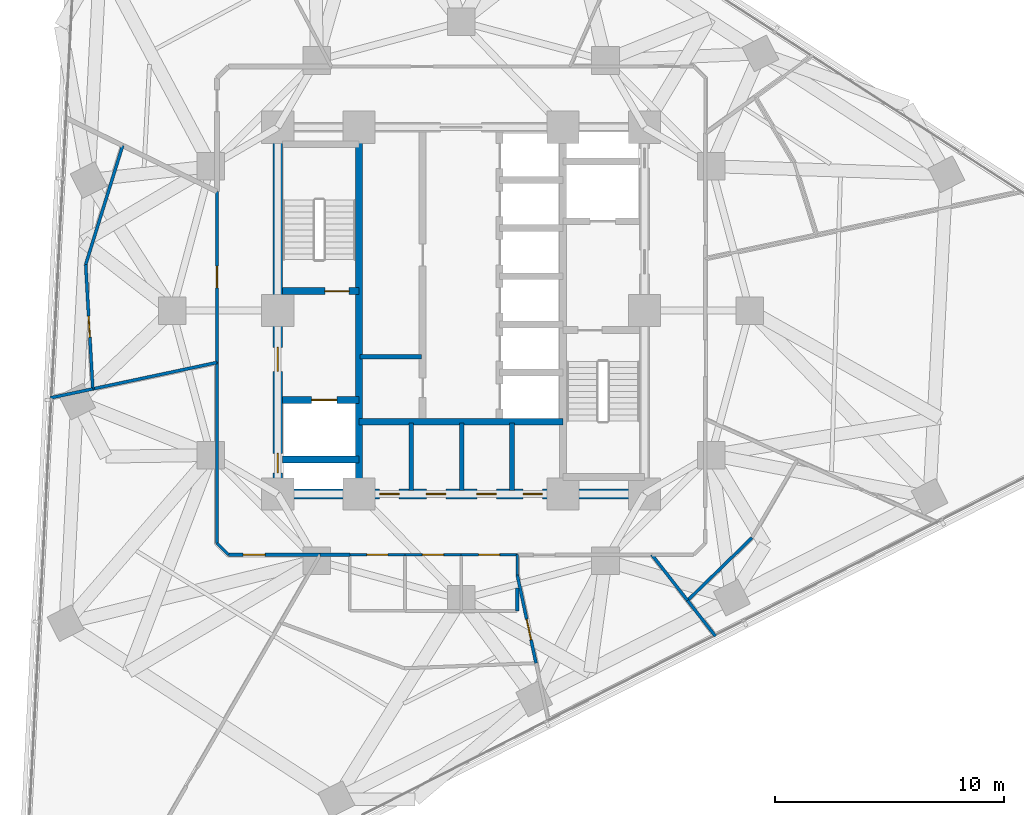
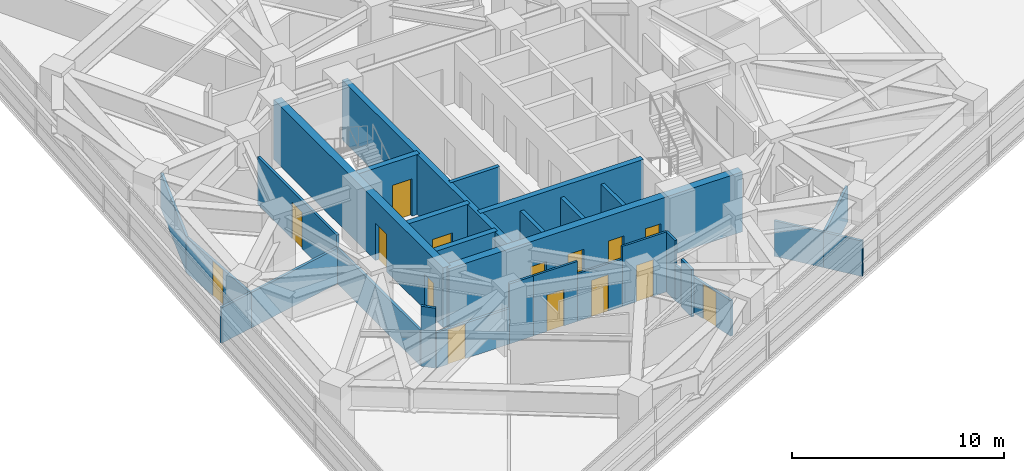
# One storey, part 9 of 15: 29 walls, 15 doors, 15 openings.
"""IFC4 building model written with IfcOpenShell, lengths in metres."""

from ifc_helpers import new_model, si_unit, direction, frame, frame_2d, origin, place, context, subcontext, project, spatial, rectangle, extrude, material, layer, layer_set, type_object, element, fill, save


model = new_model("IFC4")

# Units and contexts
model_context = context("Model", 3, precision=1e-05, world=origin(), true_north=direction((0.0, 1.0)))
body_context = subcontext(model_context, "Body", "Model", "MODEL_VIEW")
ifc_project = project(units=[si_unit("LENGTHUNIT", "METRE"), si_unit("AREAUNIT", "SQUARE_METRE"), si_unit("VOLUMEUNIT", "CUBIC_METRE"), si_unit("PLANEANGLEUNIT", "RADIAN"), si_unit("MASSUNIT", "GRAM", prefix="KILO")], contexts=[model_context])

# Site, building, storey
site_placement = place(None, origin())
site = spatial("IfcSite", under=ifc_project, at=site_placement, CompositionType="ELEMENT")
building_placement = place(site_placement, origin())
building = spatial("IfcBuilding", under=site, at=building_placement, Name="Terralouvre Media Tower", CompositionType="ELEMENT")
storey_placement = place(building_placement, frame((0.0, 0.0, 145.800048828125)))
storey = spatial("IfcBuildingStorey", under=building, at=storey_placement, Name="L37", CompositionType="ELEMENT", Elevation=145.800048828125)

# Wall
ifc_material_1 = material(Name="Concrete C50/60", Category="concrete")
ifc_layer_1 = layer(ifc_material_1, 0.300048828125, Name="Core Internal Shaft Wall CW-300")
ifc_layer_set_1 = layer_set([ifc_layer_1], Name="Concrete C50/60")
wall_type_1 = type_object("IfcWallType", Name="Core Internal Shaft Wall CW-300", PredefinedType="SHEAR", material=ifc_layer_set_1)
wall_1_placement = place(storey_placement, frame((-4.449951171875, -7.7900390625, 0.0), z_axis=(0.0, 0.0, 1.0), x_axis=(0.0, 1.0, 0.0)))
element("IfcWall", 1, at=wall_1_placement, inside=storey, type_object=wall_type_1, Name="L37 Core Shaft Wall SPW", PredefinedType="SHEAR", context=body_context, shape_type="SweptSolid", body=[
    extrude(rectangle(XDim=15.580078125, YDim=0.300048828125, at=frame_2d((7.7900390625, 0.0))), origin(), (0.0, 0.0, 1.0), 3.4599609375),
])

# Wall, opening, door
wall_2_placement = place(storey_placement, frame((-7.7900390625, 0.85009765625, 0.0), z_axis=(0.0, 0.0, 1.0), x_axis=(1.0, 0.0, 0.0)))
wall_2 = element("IfcWall", 2, at=wall_2_placement, inside=storey, type_object=wall_type_1, Name="L37 Core Shaft Wall ST1D", PredefinedType="SHEAR", context=body_context, shape_type="SweptSolid", body=[
    extrude(rectangle(XDim=3.340087890625, YDim=0.300048828125, at=frame_2d((1.669921875, 0.0))), origin(), (0.0, 0.0, 1.0), 3.4599609375),
])
opening_1_placement = place(wall_2_placement, frame((1.85009765625, 0.0, 0.0)))
opening_1 = element("IfcOpeningElement", 3, at=opening_1_placement, cuts=wall_2, Name="Opening FD-01-105X215", PredefinedType="OPENING", context=body_context, shape_type="SweptSolid", body=[
    extrude(rectangle(XDim=1.050048828125, YDim=2.14990234375, at=frame_2d((0.52490234375, 1.074951171875))), frame((0.0, 0.159912109375, 0.0), z_axis=(0.0, -1.0, 0.0), x_axis=(1.0, 0.0, 0.0)), (0.0, 0.0, 1.0), 0.320068359375),
])
ifc_material_2 = material(Name="Galvanised steel fire-resisting leaf", Category="steel")
door_type_1 = type_object("IfcDoorType", Name="Stair and Firefighting Lobby Fire Door FD-01 (1050x2150)", OperationType="NOTDEFINED", PredefinedType="DOOR", material=ifc_material_2)
door_1_placement = place(opening_1_placement, origin())
door_1 = element("IfcDoor", 4, at=door_1_placement, inside=storey, type_object=door_type_1, Name="L37 ST-01 Exit Stair Door", OperationType="SINGLE_SWING_LEFT", OverallHeight=2.14990234375, OverallWidth=1.050048828125, PredefinedType="DOOR", context=body_context, shape_type="SweptSolid", body=[
    extrude(rectangle(XDim=1.050048828125, YDim=2.14990234375, at=frame_2d((0.52490234375, 1.074951171875))), frame((0.0, 0.02490234375, 0.0), z_axis=(0.0, -1.0, 0.0), x_axis=(1.0, 0.0, 0.0)), (0.0, 0.0, 1.0), 0.050048828125),
])
fill(opening_1, door_1)

wall_3_placement = place(storey_placement, frame((-7.7900390625, -3.89990234375, 0.0), z_axis=(0.0, 0.0, 1.0), x_axis=(1.0, 0.0, 0.0)))
wall_3 = element("IfcWall", 5, at=wall_3_placement, inside=storey, type_object=wall_type_1, Name="L37 Core Shaft Wall FF1N", PredefinedType="SHEAR", context=body_context, shape_type="SweptSolid", body=[
    extrude(rectangle(XDim=3.340087890625, YDim=0.300048828125, at=frame_2d((1.669921875, 0.0))), origin(), (0.0, 0.0, 1.0), 3.4599609375),
])
opening_2_placement = place(wall_3_placement, frame((1.27001953125, 0.0, 0.0)))
opening_2 = element("IfcOpeningElement", 6, at=opening_2_placement, cuts=wall_3, Name="Opening LD-FF", PredefinedType="OPENING", context=body_context, shape_type="SweptSolid", body=[
    extrude(rectangle(XDim=1.10009765625, YDim=2.10009765625, at=frame_2d((0.550048828125, 1.050048828125))), frame((0.0, 0.159912109375, 0.0), z_axis=(0.0, -1.0, 0.0), x_axis=(1.0, 0.0, 0.0)), (0.0, 0.0, 1.0), 0.320068359375),
])
ifc_material_3 = material(Name="Stainless steel 316 handrail and balustrade", Category="steel")
door_type_2 = type_object("IfcDoorType", Name="Firefighting Lift Sliding Landing Door LD-FF", OperationType="SLIDING_TO_LEFT", PredefinedType="DOOR", material=ifc_material_3)
door_2_placement = place(opening_2_placement, origin())
door_2 = element("IfcDoor", 7, at=door_2_placement, inside=storey, type_object=door_type_2, Name="L37 Firefighting Lift FFL-01 Landing Door", OperationType="SLIDING_TO_LEFT", OverallHeight=2.10009765625, OverallWidth=1.10009765625, PredefinedType="DOOR", context=body_context, shape_type="SweptSolid", body=[
    extrude(rectangle(XDim=1.10009765625, YDim=2.10009765625, at=frame_2d((0.550048828125, 1.050048828125))), frame((0.0, 0.02490234375, 0.0), z_axis=(0.0, -1.0, 0.0), x_axis=(1.0, 0.0, 0.0)), (0.0, 0.0, 1.0), 0.050048828125),
])
fill(opening_2, door_2)

# Walls
wall_4_placement = place(storey_placement, frame((-7.7900390625, -6.5, 0.0), z_axis=(0.0, 0.0, 1.0), x_axis=(1.0, 0.0, 0.0)))
element("IfcWall", 8, at=wall_4_placement, inside=storey, type_object=wall_type_1, Name="L37 Core Shaft Wall FF1S", PredefinedType="SHEAR", context=body_context, shape_type="SweptSolid", body=[
    extrude(rectangle(XDim=3.340087890625, YDim=0.300048828125, at=frame_2d((1.669921875, 0.0))), origin(), (0.0, 0.0, 1.0), 3.4599609375),
])
wall_5_placement = place(storey_placement, frame((-4.449951171875, -4.85009765625, 0.0), z_axis=(0.0, 0.0, 1.0), x_axis=(1.0, 0.0, 0.0)))
element("IfcWall", 9, at=wall_5_placement, inside=storey, type_object=wall_type_1, Name="L37 Core Shaft Wall CSBN", PredefinedType="SHEAR", context=body_context, shape_type="SweptSolid", body=[
    extrude(rectangle(XDim=8.89990234375, YDim=0.300048828125, at=frame_2d((4.449951171875, 0.0))), origin(), (0.0, 0.0, 1.0), 3.4599609375),
])

# Wall, openings, doors
ifc_material_4 = material(Name="Concrete C60/75", Category="concrete")
ifc_layer_2 = layer(ifc_material_4, 0.419921875, Name="Core Reinforced Concrete Shear Wall CW-420")
ifc_layer_set_2 = layer_set([ifc_layer_2], Name="Concrete C60/75")
wall_type_2 = type_object("IfcWallType", Name="Core Reinforced Concrete Shear Wall CW-420", PredefinedType="SHEAR", material=ifc_layer_set_2)
wall_6_placement = place(storey_placement, frame((-8.0, -8.0, 0.0), z_axis=(0.0, 0.0, 1.0), x_axis=(0.0, 1.0, 0.0)))
wall_6 = element("IfcWall", 10, at=wall_6_placement, inside=storey, type_object=wall_type_2, Name="L37 W Core Shear Wall", PredefinedType="SHEAR", context=body_context, shape_type="SweptSolid", body=[
    extrude(rectangle(XDim=16.0, YDim=0.419921875, at=frame_2d((8.0, 0.0))), origin(), (0.0, 0.0, 1.0), 3.4599609375),
])
opening_3_placement = place(wall_6_placement, frame((0.921630859375, 0.0, 0.0)))
opening_3 = element("IfcOpeningElement", 11, at=opening_3_placement, cuts=wall_6, Name="Opening TD-R1", PredefinedType="OPENING", context=body_context, shape_type="SweptSolid", body=[
    extrude(rectangle(XDim=0.85009765625, YDim=2.02001953125, at=frame_2d((0.425048828125, 1.010009765625))), frame((0.0, 0.219970703125, 0.0), z_axis=(0.0, -1.0, 0.0), x_axis=(1.0, 0.0, 0.0)), (0.0, 0.0, 1.0), 0.43994140625),
])
opening_4_placement = place(wall_6_placement, frame((5.35009765625, 0.0, 0.0)))
opening_4 = element("IfcOpeningElement", 12, at=opening_4_placement, cuts=wall_6, Name="Opening FD-01-105X215", PredefinedType="OPENING", context=body_context, shape_type="SweptSolid", body=[
    extrude(rectangle(XDim=1.050048828125, YDim=2.14990234375, at=frame_2d((0.52490234375, 1.074951171875))), frame((0.0, 0.219970703125, 0.0), z_axis=(0.0, -1.0, 0.0), x_axis=(1.0, 0.0, 0.0)), (0.0, 0.0, 1.0), 0.43994140625),
])
ifc_material_5 = material(Name="Galvanised steel fire-resisting leaf", Category="steel")
door_type_3 = type_object("IfcDoorType", Name="Riser Inspection Access Trapdoor TD-R1", OperationType="NOTDEFINED", PredefinedType="TRAPDOOR", material=ifc_material_5)
door_3_placement = place(opening_3_placement, origin())
door_3 = element("IfcDoor", 13, at=door_3_placement, inside=storey, type_object=door_type_3, Name="L37 Wet Riser Access Trapdoor", OperationType="SINGLE_SWING_LEFT", OverallHeight=2.02001953125, OverallWidth=0.85009765625, PredefinedType="TRAPDOOR", context=body_context, shape_type="SweptSolid", body=[
    extrude(rectangle(XDim=0.85009765625, YDim=2.02001953125, at=frame_2d((0.425048828125, 1.010009765625))), frame((0.0, 0.02490234375, 0.0), z_axis=(0.0, -1.0, 0.0), x_axis=(1.0, 0.0, 0.0)), (0.0, 0.0, 1.0), 0.050048828125),
])
fill(opening_3, door_3)
door_4_placement = place(opening_4_placement, origin())
door_4 = element("IfcDoor", 14, at=door_4_placement, inside=storey, type_object=door_type_1, Name="L37 West Firefighting Lobby Entry Door", OperationType="SINGLE_SWING_RIGHT", OverallHeight=2.14990234375, OverallWidth=1.050048828125, PredefinedType="DOOR", context=body_context, shape_type="SweptSolid", body=[
    extrude(rectangle(XDim=1.050048828125, YDim=2.14990234375, at=frame_2d((0.52490234375, 1.074951171875))), frame((0.0, 0.02490234375, 0.0), z_axis=(0.0, -1.0, 0.0), x_axis=(1.0, 0.0, 0.0)), (0.0, 0.0, 1.0), 0.050048828125),
])
fill(opening_4, door_4)

wall_7_placement = place(storey_placement, frame((-8.0, -8.0, 0.0), z_axis=(0.0, 0.0, 1.0), x_axis=(1.0, 0.0, 0.0)))
wall_7 = element("IfcWall", 15, at=wall_7_placement, inside=storey, type_object=wall_type_2, Name="L37 S Core Shear Wall", PredefinedType="SHEAR", context=body_context, shape_type="SweptSolid", body=[
    extrude(rectangle(XDim=16.0, YDim=0.419921875, at=frame_2d((8.0, 0.0))), origin(), (0.0, 0.0, 1.0), 3.4599609375),
])
opening_5_placement = place(wall_7_placement, frame((4.44873046875, 0.0, 0.0)))
opening_5 = element("IfcOpeningElement", 16, at=opening_5_placement, cuts=wall_7, Name="Opening TD-R1", PredefinedType="OPENING", context=body_context, shape_type="SweptSolid", body=[
    extrude(rectangle(XDim=0.85009765625, YDim=2.02001953125, at=frame_2d((0.425048828125, 1.010009765625))), frame((0.0, 0.219970703125, 0.0), z_axis=(0.0, -1.0, 0.0), x_axis=(1.0, 0.0, 0.0)), (0.0, 0.0, 1.0), 0.43994140625),
])
opening_6_placement = place(wall_7_placement, frame((6.489990234375, 0.0, 0.0)))
opening_6 = element("IfcOpeningElement", 17, at=opening_6_placement, cuts=wall_7, Name="Opening TD-R1", PredefinedType="OPENING", context=body_context, shape_type="SweptSolid", body=[
    extrude(rectangle(XDim=0.85009765625, YDim=2.02001953125, at=frame_2d((0.425048828125, 1.010009765625))), frame((0.0, 0.219970703125, 0.0), z_axis=(0.0, -1.0, 0.0), x_axis=(1.0, 0.0, 0.0)), (0.0, 0.0, 1.0), 0.43994140625),
])
opening_7_placement = place(wall_7_placement, frame((8.68994140625, 0.0, 0.0)))
opening_7 = element("IfcOpeningElement", 18, at=opening_7_placement, cuts=wall_7, Name="Opening TD-R1", PredefinedType="OPENING", context=body_context, shape_type="SweptSolid", body=[
    extrude(rectangle(XDim=0.85009765625, YDim=2.02001953125, at=frame_2d((0.425048828125, 1.010009765625))), frame((0.0, 0.219970703125, 0.0), z_axis=(0.0, -1.0, 0.0), x_axis=(1.0, 0.0, 0.0)), (0.0, 0.0, 1.0), 0.43994140625),
])
opening_8_placement = place(wall_7_placement, frame((10.701416015625, 0.0, 0.0)))
opening_8 = element("IfcOpeningElement", 19, at=opening_8_placement, cuts=wall_7, Name="Opening TD-R1", PredefinedType="OPENING", context=body_context, shape_type="SweptSolid", body=[
    extrude(rectangle(XDim=0.85009765625, YDim=2.02001953125, at=frame_2d((0.425048828125, 1.010009765625))), frame((0.0, 0.219970703125, 0.0), z_axis=(0.0, -1.0, 0.0), x_axis=(1.0, 0.0, 0.0)), (0.0, 0.0, 1.0), 0.43994140625),
])
door_5_placement = place(opening_5_placement, origin())
door_5 = element("IfcDoor", 20, at=door_5_placement, inside=storey, type_object=door_type_3, Name="L37 Core Battery Plant Door", OperationType="SINGLE_SWING_LEFT", OverallHeight=2.02001953125, OverallWidth=0.85009765625, PredefinedType="TRAPDOOR", context=body_context, shape_type="SweptSolid", body=[
    extrude(rectangle(XDim=0.85009765625, YDim=2.02001953125, at=frame_2d((0.425048828125, 1.010009765625))), frame((0.0, 0.02490234375, 0.0), z_axis=(0.0, -1.0, 0.0), x_axis=(1.0, 0.0, 0.0)), (0.0, 0.0, 1.0), 0.050048828125),
])
fill(opening_5, door_5)
door_6_placement = place(opening_6_placement, origin())
door_6 = element("IfcDoor", 21, at=door_6_placement, inside=storey, type_object=door_type_3, Name="L37 Core IT Patch Plant Door", OperationType="SINGLE_SWING_RIGHT", OverallHeight=2.02001953125, OverallWidth=0.85009765625, PredefinedType="TRAPDOOR", context=body_context, shape_type="SweptSolid", body=[
    extrude(rectangle(XDim=0.85009765625, YDim=2.02001953125, at=frame_2d((0.425048828125, 1.010009765625))), frame((0.0, 0.02490234375, 0.0), z_axis=(0.0, -1.0, 0.0), x_axis=(1.0, 0.0, 0.0)), (0.0, 0.0, 1.0), 0.050048828125),
])
fill(opening_6, door_6)
door_7_placement = place(opening_7_placement, origin())
door_7 = element("IfcDoor", 22, at=door_7_placement, inside=storey, type_object=door_type_3, Name="L37 Core Housekeeping Store Door", OperationType="SINGLE_SWING_LEFT", OverallHeight=2.02001953125, OverallWidth=0.85009765625, PredefinedType="TRAPDOOR", context=body_context, shape_type="SweptSolid", body=[
    extrude(rectangle(XDim=0.85009765625, YDim=2.02001953125, at=frame_2d((0.425048828125, 1.010009765625))), frame((0.0, 0.02490234375, 0.0), z_axis=(0.0, -1.0, 0.0), x_axis=(1.0, 0.0, 0.0)), (0.0, 0.0, 1.0), 0.050048828125),
])
fill(opening_7, door_7)
door_8_placement = place(opening_8_placement, origin())
door_8 = element("IfcDoor", 23, at=door_8_placement, inside=storey, type_object=door_type_3, Name="L37 Core Smoke Damper Plant Door", OperationType="SINGLE_SWING_RIGHT", OverallHeight=2.02001953125, OverallWidth=0.85009765625, PredefinedType="TRAPDOOR", context=body_context, shape_type="SweptSolid", body=[
    extrude(rectangle(XDim=0.85009765625, YDim=2.02001953125, at=frame_2d((0.425048828125, 1.010009765625))), frame((0.0, 0.02490234375, 0.0), z_axis=(0.0, -1.0, 0.0), x_axis=(1.0, 0.0, 0.0)), (0.0, 0.0, 1.0), 0.050048828125),
])
fill(opening_8, door_8)

# Walls
ifc_material_6 = material(Name="Fire-rated gypsum board drywall partition")
ifc_layer_3 = layer(ifc_material_6, 0.199951171875, Name="Fire-Rated Shaft and Lobby Partition FW-200")
ifc_layer_set_3 = layer_set([ifc_layer_3], Name="Fire-rated gypsum board drywall partition")
wall_type_3 = type_object("IfcWallType", Name="Fire-Rated Shaft and Lobby Partition FW-200", PredefinedType="SOLIDWALL", material=ifc_layer_set_3)
for number, where, z_axis, x_axis, name in (
    (24, (-2.179931640625, -7.85009765625, 0.0), (0.0, 0.0, 1.0), (0.0, 1.0, 0.0), "L37 Core Service Bay Partition 1"),
    (25, (0.02001953125, -7.85009765625, 0.0), (0.0, 0.0, 1.0), (0.0, 1.0, 0.0), "L37 Core Service Bay Partition 2"),
    (26, (2.219970703125, -7.85009765625, 0.0), (0.0, 0.0, 1.0), (0.0, 1.0, 0.0), "L37 Core Service Bay Partition 3"),
):
    element("IfcWall", number, at=place(storey_placement, frame(where, z_axis=z_axis, x_axis=x_axis)), inside=storey, type_object=wall_type_3, Name=name, PredefinedType="SOLIDWALL", context=body_context, shape_type="SweptSolid", body=[
        extrude(rectangle(XDim=2.9501953125, YDim=0.199951171875, at=frame_2d((1.47509765625, 0.0))), origin(), (0.0, 0.0, 1.0), 2.844970703125),
    ])
wall_8_placement = place(storey_placement, frame((-4.39990234375, -2.010009765625, 0.0), z_axis=(0.0, 0.0, 1.0), x_axis=(1.0, 0.0, 0.0)))
element("IfcWall", 27, at=wall_8_placement, inside=storey, type_object=wall_type_3, Name="L37 Core West Sub-Partition 1", PredefinedType="SOLIDWALL", context=body_context, shape_type="SweptSolid", body=[
    extrude(rectangle(XDim=2.679931640625, YDim=0.199951171875, at=frame_2d((1.33984375, 0.0))), origin(), (0.0, 0.0, 1.0), 3.4599609375),
])
ifc_material_7 = material(Name="Fire-rated gypsum board drywall partition")
ifc_layer_4 = layer(ifc_material_7, 0.135009765625, Name="Newsroom Acoustic Partition PT-135")
ifc_layer_set_4 = layer_set([ifc_layer_4], Name="Fire-rated gypsum board drywall partition")
wall_type_4 = type_object("IfcWallType", Name="Newsroom Acoustic Partition PT-135", PredefinedType="PARTITIONING", material=ifc_layer_set_4)
wall_9_placement = place(storey_placement, frame((-10.64990234375, -2.263916015625, 0.0), z_axis=(0.0, 0.0, 1.0), x_axis=(0.0, -1.0, 0.0)))
element("IfcWall", 28, at=wall_9_placement, inside=storey, type_object=wall_type_4, Name="L37 Interior Partition 001", PredefinedType="PARTITIONING", context=body_context, shape_type="SweptSolid", body=[
    extrude(rectangle(XDim=7.885986328125, YDim=0.135009765625, at=frame_2d((3.94287109375, 0.0))), origin(), (0.0, 0.0, 1.0), 2.044921875),
])
wall_10_placement = place(storey_placement, frame((-10.64990234375, -10.14990234375, 0.0), z_axis=(0.0, 0.0, 1.0), x_axis=(0.707106781187, -0.707106781187, 0.0)))
element("IfcWall", 29, at=wall_10_placement, inside=storey, type_object=wall_type_4, Name="L37 Interior Partition 002", PredefinedType="PARTITIONING", context=body_context, shape_type="SweptSolid", body=[
    extrude(rectangle(XDim=0.70703125, YDim=0.135009765625, at=frame_2d((0.353515625, 0.0))), origin(), (0.0, 0.0, 1.0), 3.4599609375),
])

# Wall, opening, door
wall_11_placement = place(storey_placement, frame((-10.14990234375, -10.64990234375, 0.0), z_axis=(0.0, 0.0, 1.0), x_axis=(1.0, 0.0, 0.0)))
wall_11 = element("IfcWall", 30, at=wall_11_placement, inside=storey, type_object=wall_type_4, Name="L37 Interior Partition 003", PredefinedType="PARTITIONING", context=body_context, shape_type="SweptSolid", body=[
    extrude(rectangle(XDim=4.0009765625, YDim=0.135009765625, at=frame_2d((2.00048828125, 0.0))), origin(), (0.0, 0.0, 1.0), 2.044921875),
])
opening_9_placement = place(wall_11_placement, frame((0.645263671875, 0.0, 0.0)))
opening_9 = element("IfcOpeningElement", 31, at=opening_9_placement, cuts=wall_11, Name="Opening ID-02", PredefinedType="OPENING", context=body_context, shape_type="SweptSolid", body=[
    extrude(rectangle(XDim=0.949951171875, YDim=2.0, at=frame_2d((0.47509765625, 1.0))), frame((0.0, 0.077392578125, 0.0), z_axis=(0.0, -1.0, 0.0), x_axis=(1.0, 0.0, 0.0)), (0.0, 0.0, 1.0), 0.155029296875),
])
ifc_material_8 = material(Name="Engineered hardwood acoustic timber leaf", Category="wood")
door_type_4 = type_object("IfcDoorType", Name="Office and Meeting Room Door ID-02", OperationType="NOTDEFINED", PredefinedType="DOOR", material=ifc_material_8)
door_9_placement = place(opening_9_placement, origin())
door_9 = element("IfcDoor", 32, at=door_9_placement, inside=storey, type_object=door_type_4, Name="L37 Graphics Desk Office 1 Door", OperationType="SINGLE_SWING_RIGHT", OverallHeight=2.0, OverallWidth=0.949951171875, PredefinedType="DOOR", context=body_context, shape_type="SweptSolid", body=[
    extrude(rectangle(XDim=0.949951171875, YDim=2.0, at=frame_2d((0.47509765625, 1.0))), frame((0.0, 0.02490234375, 0.0), z_axis=(0.0, -1.0, 0.0), x_axis=(1.0, 0.0, 0.0)), (0.0, 0.0, 1.0), 0.050048828125),
])
fill(opening_9, door_9)

# Wall
wall_12_placement = place(storey_placement, frame((-6.14892578125, -10.64990234375, 0.0), z_axis=(0.0, 0.0, 1.0), x_axis=(1.0, 0.0, 0.0)))
element("IfcWall", 33, at=wall_12_placement, inside=storey, type_object=wall_type_4, Name="L37 Interior Partition 005", PredefinedType="PARTITIONING", context=body_context, shape_type="SweptSolid", body=[
    extrude(rectangle(XDim=1.298828125, YDim=0.135009765625, at=frame_2d((0.6494140625, 0.0))), origin(), (0.0, 0.0, 1.0), 3.4599609375),
])

# Wall, opening, door
wall_13_placement = place(storey_placement, frame((-10.64990234375, 5.194091796875, 0.0), z_axis=(0.0, 0.0, 1.0), x_axis=(0.0, -1.0, 0.0)))
wall_13 = element("IfcWall", 34, at=wall_13_placement, inside=storey, type_object=wall_type_4, Name="L37 Interior Partition 021", PredefinedType="PARTITIONING", context=body_context, shape_type="SweptSolid", body=[
    extrude(rectangle(XDim=7.4580078125, YDim=0.135009765625, at=frame_2d((3.72900390625, 0.0))), origin(), (0.0, 0.0, 1.0), 2.744873046875),
])
opening_10_placement = place(wall_13_placement, frame((3.25390625, 0.0, 0.0)))
opening_10 = element("IfcOpeningElement", 35, at=opening_10_placement, cuts=wall_13, Name="Opening ID-02-95X210", PredefinedType="OPENING", context=body_context, shape_type="SweptSolid", body=[
    extrude(rectangle(XDim=0.949951171875, YDim=2.10009765625, at=frame_2d((0.47509765625, 1.050048828125))), frame((0.0, 0.077392578125, 0.0), z_axis=(0.0, -1.0, 0.0), x_axis=(1.0, 0.0, 0.0)), (0.0, 0.0, 1.0), 0.155029296875),
])
ifc_material_9 = material(Name="Engineered hardwood acoustic timber leaf", Category="wood")
door_type_5 = type_object("IfcDoorType", Name="Office and Meeting Room Door ID-02 (950x2100)", OperationType="NOTDEFINED", PredefinedType="DOOR", material=ifc_material_9)
door_10_placement = place(opening_10_placement, origin())
door_10 = element("IfcDoor", 36, at=door_10_placement, inside=storey, type_object=door_type_5, Name="L37 Graphics Desk Office 15 Door", OperationType="SINGLE_SWING_LEFT", OverallHeight=2.10009765625, OverallWidth=0.949951171875, PredefinedType="DOOR", context=body_context, shape_type="SweptSolid", body=[
    extrude(rectangle(XDim=0.949951171875, YDim=2.10009765625, at=frame_2d((0.47509765625, 1.050048828125))), frame((0.0, 0.02490234375, 0.0), z_axis=(0.0, -1.0, 0.0), x_axis=(1.0, 0.0, 0.0)), (0.0, 0.0, 1.0), 0.050048828125),
])
fill(opening_10, door_10)

# Walls
wall_14_placement = place(storey_placement, frame((-16.069091796875, -3.416015625, 0.0), z_axis=(0.0, 0.0, 1.0), x_axis=(-0.978246851629, -0.207444202805, 0.0)))
element("IfcWall", 37, at=wall_14_placement, inside=storey, type_object=wall_type_4, Name="L37 Interior Partition 024", PredefinedType="PARTITIONING", context=body_context, shape_type="SweptSolid", body=[
    extrude(rectangle(XDim=1.8876953125, YDim=0.135009765625, at=frame_2d((0.94384765625, 0.0))), origin(), (0.0, 0.0, 1.0), 2.044921875),
])
wall_15_placement = place(storey_placement, frame((-10.64990234375, -2.263916015625, 0.0), z_axis=(0.0, 0.0, 1.0), x_axis=(-0.978139695811, -0.207948877079, 0.0)))
element("IfcWall", 38, at=wall_15_placement, inside=storey, type_object=wall_type_4, Name="L37 Interior Partition 025", PredefinedType="PARTITIONING", context=body_context, shape_type="SweptSolid", body=[
    extrude(rectangle(XDim=5.540283203125, YDim=0.135009765625, at=frame_2d((2.77001953125, 0.0))), origin(), (0.0, 0.0, 1.0), 2.044921875),
])
wall_16_placement = place(storey_placement, frame((2.449951171875, -12.103271484375, 0.0), z_axis=(0.0, 0.0, 1.0), x_axis=(0.0, -1.0, 0.0)))
element("IfcWall", 39, at=wall_16_placement, inside=storey, type_object=wall_type_4, Name="L37 Interior Partition 033", PredefinedType="PARTITIONING", context=body_context, shape_type="SweptSolid", body=[
    extrude(rectangle(XDim=0.996826171875, YDim=0.135009765625, at=frame_2d((0.49853515625, 0.0))), origin(), (0.0, 0.0, 1.0), 2.744873046875),
])

# Wall, opening, door
wall_17_placement = place(storey_placement, frame((3.26904296875, -15.3798828125, 0.0), z_axis=(0.0, 0.0, 1.0), x_axis=(-0.207886916666, 0.978152866314, 0.0)))
wall_17 = element("IfcWall", 40, at=wall_17_placement, inside=storey, type_object=wall_type_4, Name="L37 Interior Partition 035", PredefinedType="PARTITIONING", context=body_context, shape_type="SweptSolid", body=[
    extrude(rectangle(XDim=3.940185546875, YDim=0.135009765625, at=frame_2d((1.97021484375, 0.0))), origin(), (0.0, 0.0, 1.0), 2.044921875),
])
opening_11_placement = place(wall_17_placement, frame((1.037109375, 0.0, 0.0)))
opening_11 = element("IfcOpeningElement", 41, at=opening_11_placement, cuts=wall_17, Name="Opening ID-03", PredefinedType="OPENING", context=body_context, shape_type="SweptSolid", body=[
    extrude(rectangle(XDim=0.919921875, YDim=2.0, at=frame_2d((0.4599609375, 1.0))), frame((0.0, 0.077392578125, 0.0), z_axis=(0.0, -1.0, 0.0), x_axis=(1.0, 0.0, 0.0)), (0.0, 0.0, 1.0), 0.155029296875),
])
ifc_material_10 = material(Name="Engineered hardwood acoustic timber leaf", Category="wood")
door_type_6 = type_object("IfcDoorType", Name="Accessible Restroom and Suite Door ID-03", OperationType="NOTDEFINED", PredefinedType="DOOR", material=ifc_material_10)
door_11_placement = place(opening_11_placement, origin())
door_11 = element("IfcDoor", 42, at=door_11_placement, inside=storey, type_object=door_type_6, Name="L37 Live Wire Newsroom Open Office 3 Door", OperationType="SINGLE_SWING_LEFT", OverallHeight=2.0, OverallWidth=0.919921875, PredefinedType="DOOR", context=body_context, shape_type="SweptSolid", body=[
    extrude(rectangle(XDim=0.919921875, YDim=2.0, at=frame_2d((0.4599609375, 1.0))), frame((0.0, 0.02490234375, 0.0), z_axis=(0.0, -1.0, 0.0), x_axis=(1.0, 0.0, 0.0)), (0.0, 0.0, 1.0), 0.050048828125),
])
fill(opening_11, door_11)

# Walls
wall_18_placement = place(storey_placement, frame((9.8798828125, -12.64599609375, 0.0), z_axis=(0.0, 0.0, 1.0), x_axis=(-0.61549437888, 0.788141275132, 0.0)))
element("IfcWall", 43, at=wall_18_placement, inside=storey, type_object=wall_type_4, Name="L37 Interior Partition 038", PredefinedType="PARTITIONING", context=body_context, shape_type="SweptSolid", body=[
    extrude(rectangle(XDim=2.53271484375, YDim=0.135009765625, at=frame_2d((1.266357421875, 0.0))), origin(), (0.0, 0.0, 1.0), 2.044921875),
])
wall_19_placement = place(storey_placement, frame((11.09619140625, -14.202392578125, 0.0), z_axis=(0.0, 0.0, 1.0), x_axis=(-0.615761561206, 0.78793254771, 0.0)))
element("IfcWall", 44, at=wall_19_placement, inside=storey, type_object=wall_type_4, Name="L37 Interior Partition 039", PredefinedType="PARTITIONING", context=body_context, shape_type="SweptSolid", body=[
    extrude(rectangle(XDim=1.975341796875, YDim=0.135009765625, at=frame_2d((0.98779296875, 0.0))), origin(), (0.0, 0.0, 1.0), 2.044921875),
])
wall_20_placement = place(storey_placement, frame((9.8798828125, -12.64599609375, 0.0), z_axis=(0.0, 0.0, 1.0), x_axis=(0.716390870365, 0.697699162145, 0.0)))
element("IfcWall", 45, at=wall_20_placement, inside=storey, type_object=wall_type_4, Name="L37 Interior Partition 040", PredefinedType="PARTITIONING", context=body_context, shape_type="SweptSolid", body=[
    extrude(rectangle(XDim=3.91845703125, YDim=0.135009765625, at=frame_2d((1.959228515625, 0.0))), origin(), (0.0, 0.0, 1.0), 2.044921875),
])

# Wall, opening, door
wall_21_placement = place(storey_placement, frame((-16.069091796875, -3.416015625, 0.0), z_axis=(0.0, 0.0, 1.0), x_axis=(-0.056636641993, 0.99839485715, 0.0)))
wall_21 = element("IfcWall", 46, at=wall_21_placement, inside=storey, type_object=wall_type_4, Name="L37 Interior Partition 059", PredefinedType="PARTITIONING", context=body_context, shape_type="SweptSolid", body=[
    extrude(rectangle(XDim=5.435791015625, YDim=0.135009765625, at=frame_2d((2.7177734375, 0.0))), origin(), (0.0, 0.0, 1.0), 2.044921875),
])
opening_12_placement = place(wall_21_placement, frame((2.2578125, 0.0, 0.0)))
opening_12 = element("IfcOpeningElement", 47, at=opening_12_placement, cuts=wall_21, Name="Opening ID-03", PredefinedType="OPENING", context=body_context, shape_type="SweptSolid", body=[
    extrude(rectangle(XDim=0.919921875, YDim=2.0, at=frame_2d((0.4599609375, 1.0))), frame((0.0, 0.077392578125, 0.0), z_axis=(0.0, -1.0, 0.0), x_axis=(1.0, 0.0, 0.0)), (0.0, 0.0, 1.0), 0.155029296875),
])
door_12_placement = place(opening_12_placement, origin())
door_12 = element("IfcDoor", 48, at=door_12_placement, inside=storey, type_object=door_type_6, Name="L37 Wire Copy Workspace 14 Door", OperationType="SINGLE_SWING_LEFT", OverallHeight=2.0, OverallWidth=0.919921875, PredefinedType="DOOR", context=body_context, shape_type="SweptSolid", body=[
    extrude(rectangle(XDim=0.919921875, YDim=2.0, at=frame_2d((0.4599609375, 1.0))), frame((0.0, 0.02490234375, 0.0), z_axis=(0.0, -1.0, 0.0), x_axis=(1.0, 0.0, 0.0)), (0.0, 0.0, 1.0), 0.050048828125),
])
fill(opening_12, door_12)

# Wall
wall_22_placement = place(storey_placement, frame((-16.376953125, 2.010986328125, 0.0), z_axis=(0.0, 0.0, 1.0), x_axis=(0.296581456096, 0.955007560127, 0.0)))
element("IfcWall", 49, at=wall_22_placement, inside=storey, type_object=wall_type_4, Name="L37 Interior Partition 060", PredefinedType="PARTITIONING", context=body_context, shape_type="SweptSolid", body=[
    extrude(rectangle(XDim=5.435546875, YDim=0.135009765625, at=frame_2d((2.7177734375, 0.0))), origin(), (0.0, 0.0, 1.0), 2.044921875),
])

# Wall, opening, door
ifc_material_11 = material(Name="Fire-rated gypsum board drywall partition")
ifc_layer_5 = layer(ifc_material_11, 0.114990234375, Name="Restroom and Pantry Partition PT-115")
ifc_layer_set_5 = layer_set([ifc_layer_5], Name="Fire-rated gypsum board drywall partition")
wall_type_5 = type_object("IfcWallType", Name="Restroom and Pantry Partition PT-115", PredefinedType="PARTITIONING", material=ifc_layer_set_5)
wall_23_placement = place(storey_placement, frame((-4.85009765625, -10.64990234375, 0.0), z_axis=(0.0, 0.0, 1.0), x_axis=(1.0, 0.0, 0.0)))
wall_23 = element("IfcWall", 50, at=wall_23_placement, inside=storey, type_object=wall_type_5, Name="L37 Interior Partition 004", PredefinedType="PARTITIONING", context=body_context, shape_type="SweptSolid", body=[
    extrude(rectangle(XDim=2.400146484375, YDim=0.114990234375, at=frame_2d((1.2001953125, 0.0))), origin(), (0.0, 0.0, 1.0), 3.4599609375),
])
opening_13_placement = place(wall_23_placement, frame((0.739990234375, 0.0, 0.0)))
opening_13 = element("IfcOpeningElement", 51, at=opening_13_placement, cuts=wall_23, Name="Opening ID-03-92X210", PredefinedType="OPENING", context=body_context, shape_type="SweptSolid", body=[
    extrude(rectangle(XDim=0.919921875, YDim=2.10009765625, at=frame_2d((0.4599609375, 1.050048828125))), frame((0.0, 0.0673828125, 0.0), z_axis=(0.0, -1.0, 0.0), x_axis=(1.0, 0.0, 0.0)), (0.0, 0.0, 1.0), 0.135009765625),
])
ifc_material_12 = material(Name="Engineered hardwood acoustic timber leaf", Category="wood")
door_type_7 = type_object("IfcDoorType", Name="Accessible Restroom and Suite Door ID-03 (920x2100)", OperationType="NOTDEFINED", PredefinedType="DOOR", material=ifc_material_12)
door_13_placement = place(opening_13_placement, origin())
door_13 = element("IfcDoor", 52, at=door_13_placement, inside=storey, type_object=door_type_7, Name="L37 Male Restroom WC Door", OperationType="SINGLE_SWING_LEFT", OverallHeight=2.10009765625, OverallWidth=0.919921875, PredefinedType="DOOR", context=body_context, shape_type="SweptSolid", body=[
    extrude(rectangle(XDim=0.919921875, YDim=2.10009765625, at=frame_2d((0.4599609375, 1.050048828125))), frame((0.0, 0.02490234375, 0.0), z_axis=(0.0, -1.0, 0.0), x_axis=(1.0, 0.0, 0.0)), (0.0, 0.0, 1.0), 0.050048828125),
])
fill(opening_13, door_13)

wall_24_placement = place(storey_placement, frame((-2.449951171875, -10.64990234375, 0.0), z_axis=(0.0, 0.0, 1.0), x_axis=(1.0, 0.0, 0.0)))
wall_24 = element("IfcWall", 53, at=wall_24_placement, inside=storey, type_object=wall_type_5, Name="L37 Interior Partition 006", PredefinedType="PARTITIONING", context=body_context, shape_type="SweptSolid", body=[
    extrude(rectangle(XDim=2.449951171875, YDim=0.114990234375, at=frame_2d((1.22509765625, 0.0))), origin(), (0.0, 0.0, 1.0), 2.744873046875),
])
opening_14_placement = place(wall_24_placement, frame((0.764892578125, 0.0, 0.0)))
opening_14 = element("IfcOpeningElement", 54, at=opening_14_placement, cuts=wall_24, Name="Opening ID-03-92X210", PredefinedType="OPENING", context=body_context, shape_type="SweptSolid", body=[
    extrude(rectangle(XDim=0.919921875, YDim=2.10009765625, at=frame_2d((0.4599609375, 1.050048828125))), frame((0.0, 0.0673828125, 0.0), z_axis=(0.0, -1.0, 0.0), x_axis=(1.0, 0.0, 0.0)), (0.0, 0.0, 1.0), 0.135009765625),
])
door_14_placement = place(opening_14_placement, origin())
door_14 = element("IfcDoor", 55, at=door_14_placement, inside=storey, type_object=door_type_7, Name="L37 Female Restroom WC Door", OperationType="SINGLE_SWING_RIGHT", OverallHeight=2.10009765625, OverallWidth=0.919921875, PredefinedType="DOOR", context=body_context, shape_type="SweptSolid", body=[
    extrude(rectangle(XDim=0.919921875, YDim=2.10009765625, at=frame_2d((0.4599609375, 1.050048828125))), frame((0.0, 0.02490234375, 0.0), z_axis=(0.0, -1.0, 0.0), x_axis=(1.0, 0.0, 0.0)), (0.0, 0.0, 1.0), 0.050048828125),
])
fill(opening_14, door_14)

wall_25_placement = place(storey_placement, frame((0.0, -10.64990234375, 0.0), z_axis=(0.0, 0.0, 1.0), x_axis=(1.0, 0.0, 0.0)))
wall_25 = element("IfcWall", 56, at=wall_25_placement, inside=storey, type_object=wall_type_5, Name="L37 Interior Partition 007", PredefinedType="PARTITIONING", context=body_context, shape_type="SweptSolid", body=[
    extrude(rectangle(XDim=2.449951171875, YDim=0.114990234375, at=frame_2d((1.22509765625, 0.0))), origin(), (0.0, 0.0, 1.0), 3.4599609375),
])
opening_15_placement = place(wall_25_placement, frame((0.764892578125, 0.0, 0.0)))
opening_15 = element("IfcOpeningElement", 57, at=opening_15_placement, cuts=wall_25, Name="Opening ID-03-92X210", PredefinedType="OPENING", context=body_context, shape_type="SweptSolid", body=[
    extrude(rectangle(XDim=0.919921875, YDim=2.10009765625, at=frame_2d((0.4599609375, 1.050048828125))), frame((0.0, 0.0673828125, 0.0), z_axis=(0.0, -1.0, 0.0), x_axis=(1.0, 0.0, 0.0)), (0.0, 0.0, 1.0), 0.135009765625),
])
door_15_placement = place(opening_15_placement, origin())
door_15 = element("IfcDoor", 58, at=door_15_placement, inside=storey, type_object=door_type_7, Name="L37 Accessible Unisex WC Door", OperationType="SINGLE_SWING_LEFT", OverallHeight=2.10009765625, OverallWidth=0.919921875, PredefinedType="DOOR", context=body_context, shape_type="SweptSolid", body=[
    extrude(rectangle(XDim=0.919921875, YDim=2.10009765625, at=frame_2d((0.4599609375, 1.050048828125))), frame((0.0, 0.02490234375, 0.0), z_axis=(0.0, -1.0, 0.0), x_axis=(1.0, 0.0, 0.0)), (0.0, 0.0, 1.0), 0.050048828125),
])
fill(opening_15, door_15)

# Wall
wall_26_placement = place(storey_placement, frame((2.449951171875, -11.52587890625, 0.0), z_axis=(0.0, 0.0, 1.0), x_axis=(0.0, 1.0, 0.0)))
element("IfcWall", 59, at=wall_26_placement, inside=storey, type_object=wall_type_5, Name="L37 Interior Partition 037", PredefinedType="PARTITIONING", context=body_context, shape_type="SweptSolid", body=[
    extrude(rectangle(XDim=0.8759765625, YDim=0.114990234375, at=frame_2d((0.43798828125, 0.0))), origin(), (0.0, 0.0, 1.0), 3.4599609375),
])

save(model, "model.ifc")
